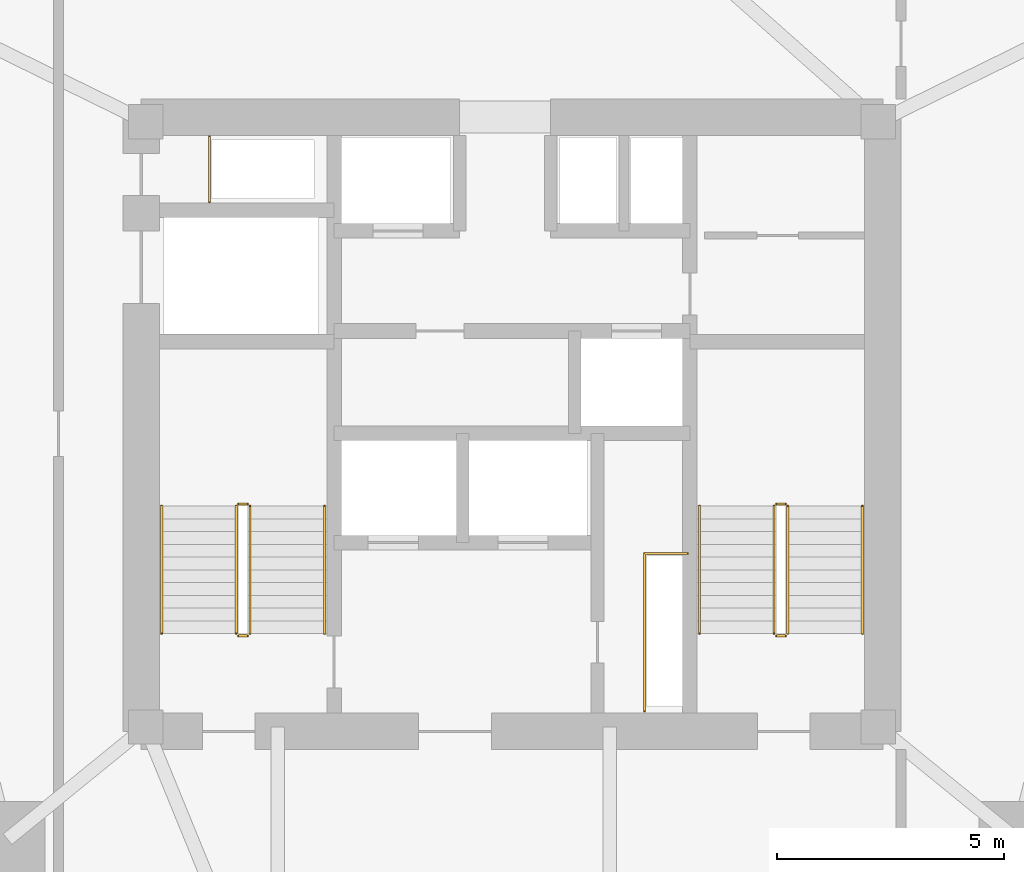
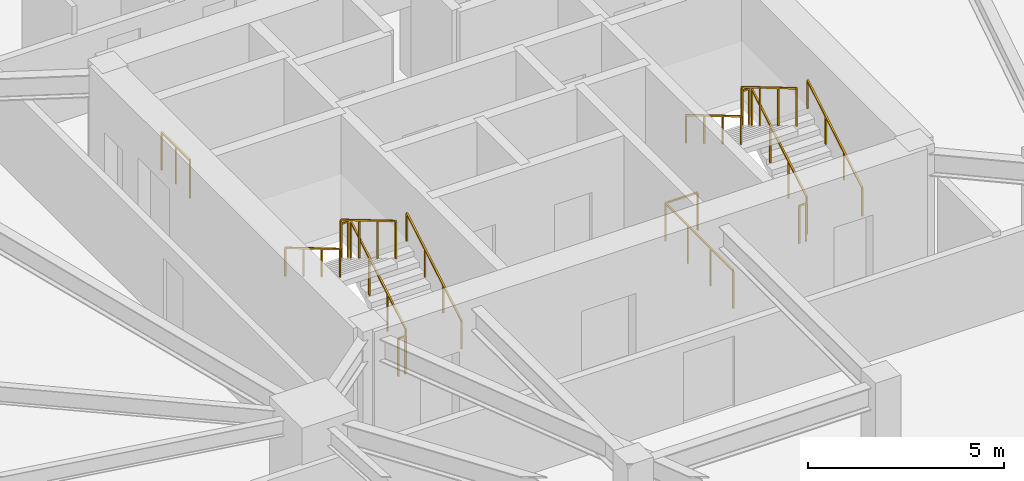
# One storey, part 19 of 19: 14 railings.
"""IFC4 building model written with IfcOpenShell, lengths in metres."""

from ifc_helpers import new_model, si_unit, direction, frame, origin, origin_2d, place, context, subcontext, project, spatial, rectangle, extrude, material, type_object, element, save


model = new_model("IFC4")

# Units and contexts
model_context = context("Model", 3, precision=1e-05, world=origin(), true_north=direction((0.0, 1.0)))
body_context = subcontext(model_context, "Body", "Model", "MODEL_VIEW")
ifc_project = project(units=[si_unit("LENGTHUNIT", "METRE"), si_unit("AREAUNIT", "SQUARE_METRE"), si_unit("VOLUMEUNIT", "CUBIC_METRE"), si_unit("PLANEANGLEUNIT", "RADIAN"), si_unit("MASSUNIT", "GRAM", prefix="KILO")], contexts=[model_context])

# Site, building, storey
site_placement = place(None, origin())
site = spatial("IfcSite", under=ifc_project, at=site_placement, CompositionType="ELEMENT")
building_placement = place(site_placement, origin())
building = spatial("IfcBuilding", under=site, at=building_placement, Name="Talyreon Biosciences Tower", CompositionType="ELEMENT")
storey_placement = place(building_placement, frame((0.0, 0.0, 82.300048828125)))
storey = spatial("IfcBuildingStorey", under=building, at=storey_placement, Name="L21", CompositionType="ELEMENT", Elevation=82.300048828125)

# Railings
ifc_material_1 = material(Name="Brushed stainless-steel tubular handrail", Category="steel")
railing_type_1 = type_object("IfcRailingType", Name="StairWallHandrail_900", PredefinedType="HANDRAIL", material=ifc_material_1)
railing_1_placement = place(storey_placement, frame((61.8798828125, 63.39990234375, 0.165771484375)))
element("IfcRailing", 1, at=railing_1_placement, inside=storey, type_object=railing_type_1, Name="L21 ST-1 stair handrail 1", PredefinedType="HANDRAIL", context=body_context, shape_type="SweptSolid", body=[
    extrude(rectangle(XDim=0.048095703125, YDim=0.048095703125, at=origin_2d()), frame((0.0, 0.0, 0.8759765625), z_axis=(0.0, 0.860306154799, 0.50977771628), x_axis=(-1.0, 0.0, 0.0)), (0.0, 0.0, 1.0), 3.254638671875),
    extrude(rectangle(XDim=0.0419921875, YDim=0.0419921875, at=origin_2d()), origin(), (0.0, 0.0, 1.0), 0.851806640625),
    extrude(rectangle(XDim=0.0419921875, YDim=0.0419921875, at=origin_2d()), frame((0.0, 0.933349609375, 0.552978515625)), (0.0, 0.0, 1.0), 0.851806640625),
    extrude(rectangle(XDim=0.0419921875, YDim=0.0419921875, at=origin_2d()), frame((0.0, 1.86669921875, 1.106201171875)), (0.0, 0.0, 1.0), 0.851806640625),
    extrude(rectangle(XDim=0.0419921875, YDim=0.0419921875, at=origin_2d()), frame((0.0, 2.800048828125, 1.6591796875)), (0.0, 0.0, 1.0), 0.851806640625),
])
railing_2_placement = place(storey_placement, frame((58.300048828125, 66.199951171875, 1.990966796875)))
element("IfcRailing", 2, at=railing_2_placement, inside=storey, type_object=railing_type_1, Name="L21 ST-1 stair handrail 2", PredefinedType="HANDRAIL", context=body_context, shape_type="SweptSolid", body=[
    extrude(rectangle(XDim=0.048095703125, YDim=0.048095703125, at=origin_2d()), frame((0.0, 0.0, 0.8759765625), z_axis=(0.0, -0.860339051648, 0.50972219513), x_axis=(1.0, 0.0, 0.0)), (0.0, 0.0, 1.0), 3.254638671875),
    extrude(rectangle(XDim=0.0419921875, YDim=0.0419921875, at=origin_2d()), origin(), (0.0, 0.0, 1.0), 0.851806640625),
    extrude(rectangle(XDim=0.0419921875, YDim=0.0419921875, at=origin_2d()), frame((0.0, -0.933349609375, 0.552978515625)), (0.0, 0.0, 1.0), 0.851806640625),
    extrude(rectangle(XDim=0.0419921875, YDim=0.0419921875, at=origin_2d()), frame((0.0, -1.86669921875, 1.10595703125)), (0.0, 0.0, 1.0), 0.851806640625),
    extrude(rectangle(XDim=0.0419921875, YDim=0.0419921875, at=origin_2d()), frame((0.0, -2.800048828125, 1.658935546875)), (0.0, 0.0, 1.0), 0.851806640625),
])
railing_3_placement = place(storey_placement, frame((73.699951171875, 63.39990234375, 0.165771484375)))
element("IfcRailing", 3, at=railing_3_placement, inside=storey, type_object=railing_type_1, Name="L21 ST-2 stair handrail 1", PredefinedType="HANDRAIL", context=body_context, shape_type="SweptSolid", body=[
    extrude(rectangle(XDim=0.048095703125, YDim=0.048095703125, at=origin_2d()), frame((0.0, 0.0, 0.8759765625), z_axis=(0.0, 0.860306154799, 0.50977771628), x_axis=(-1.0, 0.0, 0.0)), (0.0, 0.0, 1.0), 3.254638671875),
    extrude(rectangle(XDim=0.0419921875, YDim=0.0419921875, at=origin_2d()), origin(), (0.0, 0.0, 1.0), 0.851806640625),
    extrude(rectangle(XDim=0.0419921875, YDim=0.0419921875, at=origin_2d()), frame((0.0, 0.933349609375, 0.552978515625)), (0.0, 0.0, 1.0), 0.851806640625),
    extrude(rectangle(XDim=0.0419921875, YDim=0.0419921875, at=origin_2d()), frame((0.0, 1.86669921875, 1.106201171875)), (0.0, 0.0, 1.0), 0.851806640625),
    extrude(rectangle(XDim=0.0419921875, YDim=0.0419921875, at=origin_2d()), frame((0.0, 2.800048828125, 1.6591796875)), (0.0, 0.0, 1.0), 0.851806640625),
])
railing_4_placement = place(storey_placement, frame((70.1201171875, 66.199951171875, 1.990966796875)))
element("IfcRailing", 4, at=railing_4_placement, inside=storey, type_object=railing_type_1, Name="L21 ST-2 stair handrail 2", PredefinedType="HANDRAIL", context=body_context, shape_type="SweptSolid", body=[
    extrude(rectangle(XDim=0.048095703125, YDim=0.048095703125, at=origin_2d()), frame((0.0, 0.0, 0.8759765625), z_axis=(0.0, -0.860339051648, 0.50972219513), x_axis=(1.0, 0.0, 0.0)), (0.0, 0.0, 1.0), 3.254638671875),
    extrude(rectangle(XDim=0.0419921875, YDim=0.0419921875, at=origin_2d()), origin(), (0.0, 0.0, 1.0), 0.851806640625),
    extrude(rectangle(XDim=0.0419921875, YDim=0.0419921875, at=origin_2d()), frame((0.0, -0.933349609375, 0.552978515625)), (0.0, 0.0, 1.0), 0.851806640625),
    extrude(rectangle(XDim=0.0419921875, YDim=0.0419921875, at=origin_2d()), frame((0.0, -1.86669921875, 1.10595703125)), (0.0, 0.0, 1.0), 0.851806640625),
    extrude(rectangle(XDim=0.0419921875, YDim=0.0419921875, at=origin_2d()), frame((0.0, -2.800048828125, 1.658935546875)), (0.0, 0.0, 1.0), 0.851806640625),
])
ifc_material_2 = material(Name="Painted galvanised steel post-and-rail balustrade", Category="steel")
railing_type_2 = type_object("IfcRailingType", Name="TerraceStairGuard_1200", PredefinedType="GUARDRAIL", material=ifc_material_2)
railing_5_placement = place(storey_placement, frame((60.239990234375, 63.39990234375, 0.165771484375)))
element("IfcRailing", 5, at=railing_5_placement, inside=storey, type_object=railing_type_2, Name="L21 ST-1 stair guard 1", PredefinedType="GUARDRAIL", context=body_context, shape_type="SweptSolid", body=[
    extrude(rectangle(XDim=0.048095703125, YDim=0.048095703125, at=origin_2d()), frame((0.0, 0.0, 1.17578125), z_axis=(0.0, 0.860306154799, 0.50977771628), x_axis=(-1.0, 0.0, 0.0)), (0.0, 0.0, 1.0), 3.254638671875),
    extrude(rectangle(XDim=0.0419921875, YDim=0.0419921875, at=origin_2d()), origin(), (0.0, 0.0, 1.0), 1.15185546875),
    extrude(rectangle(XDim=0.0419921875, YDim=0.0419921875, at=origin_2d()), frame((0.0, 0.933349609375, 0.552978515625)), (0.0, 0.0, 1.0), 1.15185546875),
    extrude(rectangle(XDim=0.0419921875, YDim=0.0419921875, at=origin_2d()), frame((0.0, 1.86669921875, 1.106201171875)), (0.0, 0.0, 1.0), 1.15185546875),
    extrude(rectangle(XDim=0.0419921875, YDim=0.0419921875, at=origin_2d()), frame((0.0, 2.800048828125, 1.6591796875)), (0.0, 0.0, 1.0), 1.15185546875),
])
railing_6_placement = place(storey_placement, frame((60.18994140625, 66.25, 1.824951171875)))
element("IfcRailing", 6, at=railing_6_placement, inside=storey, type_object=railing_type_2, Name="L21 ST-1 stair guard 2", PredefinedType="GUARDRAIL", context=body_context, shape_type="SweptSolid", body=[
    extrude(rectangle(XDim=0.048095703125, YDim=0.048095703125, at=origin_2d()), frame((0.0, 0.0, 1.17578125), z_axis=(-1.0, 0.0, 0.0), x_axis=(0.0, -1.0, 0.0)), (0.0, 0.0, 1.0), 0.199951171875),
    extrude(rectangle(XDim=0.0419921875, YDim=0.0419921875, at=origin_2d()), origin(), (0.0, 0.0, 1.0), 1.15185546875),
    extrude(rectangle(XDim=0.0419921875, YDim=0.0419921875, at=origin_2d()), frame((-0.199951171875, 0.0, 0.0)), (0.0, 0.0, 1.0), 1.15185546875),
])
railing_7_placement = place(storey_placement, frame((59.93994140625, 66.199951171875, 1.990966796875)))
element("IfcRailing", 7, at=railing_7_placement, inside=storey, type_object=railing_type_2, Name="L21 ST-1 stair guard 3", PredefinedType="GUARDRAIL", context=body_context, shape_type="SweptSolid", body=[
    extrude(rectangle(XDim=0.048095703125, YDim=0.048095703125, at=origin_2d()), frame((0.0, 0.0, 1.17578125), z_axis=(0.0, -0.860339051648, 0.50972219513), x_axis=(1.0, 0.0, 0.0)), (0.0, 0.0, 1.0), 3.254638671875),
    extrude(rectangle(XDim=0.0419921875, YDim=0.0419921875, at=origin_2d()), origin(), (0.0, 0.0, 1.0), 1.15185546875),
    extrude(rectangle(XDim=0.0419921875, YDim=0.0419921875, at=origin_2d()), frame((0.0, -0.933349609375, 0.552978515625)), (0.0, 0.0, 1.0), 1.15185546875),
    extrude(rectangle(XDim=0.0419921875, YDim=0.0419921875, at=origin_2d()), frame((0.0, -1.86669921875, 1.10595703125)), (0.0, 0.0, 1.0), 1.15185546875),
    extrude(rectangle(XDim=0.0419921875, YDim=0.0419921875, at=origin_2d()), frame((0.0, -2.800048828125, 1.658935546875)), (0.0, 0.0, 1.0), 1.15185546875),
])
railing_8_placement = place(storey_placement, frame((60.18994140625, 63.35009765625, 0.0)))
element("IfcRailing", 8, at=railing_8_placement, inside=storey, type_object=railing_type_2, Name="L21 ST-1 stair guard 4", PredefinedType="GUARDRAIL", context=body_context, shape_type="SweptSolid", body=[
    extrude(rectangle(XDim=0.048095703125, YDim=0.048095703125, at=origin_2d()), frame((0.0, 0.0, 1.17578125), z_axis=(-1.0, 0.0, 0.0), x_axis=(0.0, -1.0, 0.0)), (0.0, 0.0, 1.0), 0.199951171875),
    extrude(rectangle(XDim=0.0419921875, YDim=0.0419921875, at=origin_2d()), origin(), (0.0, 0.0, 1.0), 1.15185546875),
    extrude(rectangle(XDim=0.0419921875, YDim=0.0419921875, at=origin_2d()), frame((-0.199951171875, 0.0, 0.0)), (0.0, 0.0, 1.0), 1.15185546875),
])
railing_9_placement = place(storey_placement, frame((72.06005859375, 63.39990234375, 0.165771484375)))
element("IfcRailing", 9, at=railing_9_placement, inside=storey, type_object=railing_type_2, Name="L21 ST-2 stair guard 1", PredefinedType="GUARDRAIL", context=body_context, shape_type="SweptSolid", body=[
    extrude(rectangle(XDim=0.048095703125, YDim=0.048095703125, at=origin_2d()), frame((0.0, 0.0, 1.17578125), z_axis=(0.0, 0.860306154799, 0.50977771628), x_axis=(-1.0, 0.0, 0.0)), (0.0, 0.0, 1.0), 3.254638671875),
    extrude(rectangle(XDim=0.0419921875, YDim=0.0419921875, at=origin_2d()), origin(), (0.0, 0.0, 1.0), 1.15185546875),
    extrude(rectangle(XDim=0.0419921875, YDim=0.0419921875, at=origin_2d()), frame((0.0, 0.933349609375, 0.552978515625)), (0.0, 0.0, 1.0), 1.15185546875),
    extrude(rectangle(XDim=0.0419921875, YDim=0.0419921875, at=origin_2d()), frame((0.0, 1.86669921875, 1.106201171875)), (0.0, 0.0, 1.0), 1.15185546875),
    extrude(rectangle(XDim=0.0419921875, YDim=0.0419921875, at=origin_2d()), frame((0.0, 2.800048828125, 1.6591796875)), (0.0, 0.0, 1.0), 1.15185546875),
])
railing_10_placement = place(storey_placement, frame((72.010009765625, 66.25, 1.824951171875)))
element("IfcRailing", 10, at=railing_10_placement, inside=storey, type_object=railing_type_2, Name="L21 ST-2 stair guard 2", PredefinedType="GUARDRAIL", context=body_context, shape_type="SweptSolid", body=[
    extrude(rectangle(XDim=0.048095703125, YDim=0.048095703125, at=origin_2d()), frame((0.0, 0.0, 1.17578125), z_axis=(-1.0, 0.0, 0.0), x_axis=(0.0, -1.0, 0.0)), (0.0, 0.0, 1.0), 0.199951171875),
    extrude(rectangle(XDim=0.0419921875, YDim=0.0419921875, at=origin_2d()), origin(), (0.0, 0.0, 1.0), 1.15185546875),
    extrude(rectangle(XDim=0.0419921875, YDim=0.0419921875, at=origin_2d()), frame((-0.199951171875, 0.0, 0.0)), (0.0, 0.0, 1.0), 1.15185546875),
])
railing_11_placement = place(storey_placement, frame((71.760009765625, 66.199951171875, 1.990966796875)))
element("IfcRailing", 11, at=railing_11_placement, inside=storey, type_object=railing_type_2, Name="L21 ST-2 stair guard 3", PredefinedType="GUARDRAIL", context=body_context, shape_type="SweptSolid", body=[
    extrude(rectangle(XDim=0.048095703125, YDim=0.048095703125, at=origin_2d()), frame((0.0, 0.0, 1.17578125), z_axis=(0.0, -0.860339051648, 0.50972219513), x_axis=(1.0, 0.0, 0.0)), (0.0, 0.0, 1.0), 3.254638671875),
    extrude(rectangle(XDim=0.0419921875, YDim=0.0419921875, at=origin_2d()), origin(), (0.0, 0.0, 1.0), 1.15185546875),
    extrude(rectangle(XDim=0.0419921875, YDim=0.0419921875, at=origin_2d()), frame((0.0, -0.933349609375, 0.552978515625)), (0.0, 0.0, 1.0), 1.15185546875),
    extrude(rectangle(XDim=0.0419921875, YDim=0.0419921875, at=origin_2d()), frame((0.0, -1.86669921875, 1.10595703125)), (0.0, 0.0, 1.0), 1.15185546875),
    extrude(rectangle(XDim=0.0419921875, YDim=0.0419921875, at=origin_2d()), frame((0.0, -2.800048828125, 1.658935546875)), (0.0, 0.0, 1.0), 1.15185546875),
])
railing_12_placement = place(storey_placement, frame((72.010009765625, 63.35009765625, 0.0)))
element("IfcRailing", 12, at=railing_12_placement, inside=storey, type_object=railing_type_2, Name="L21 ST-2 stair guard 4", PredefinedType="GUARDRAIL", context=body_context, shape_type="SweptSolid", body=[
    extrude(rectangle(XDim=0.048095703125, YDim=0.048095703125, at=origin_2d()), frame((0.0, 0.0, 1.17578125), z_axis=(-1.0, 0.0, 0.0), x_axis=(0.0, -1.0, 0.0)), (0.0, 0.0, 1.0), 0.199951171875),
    extrude(rectangle(XDim=0.0419921875, YDim=0.0419921875, at=origin_2d()), origin(), (0.0, 0.0, 1.0), 1.15185546875),
    extrude(rectangle(XDim=0.0419921875, YDim=0.0419921875, at=origin_2d()), frame((-0.199951171875, 0.0, 0.0)), (0.0, 0.0, 1.0), 1.15185546875),
])
railing_13_placement = place(storey_placement, frame((59.35009765625, 72.8798828125, 0.0)))
element("IfcRailing", 13, at=railing_13_placement, inside=storey, type_object=railing_type_2, Name="L21 Exhaust Riser Maintenance Guardrail", PredefinedType="GUARDRAIL", context=body_context, shape_type="SweptSolid", body=[
    extrude(rectangle(XDim=0.048095703125, YDim=0.048095703125, at=origin_2d()), frame((0.0, 0.0, 1.17578125), z_axis=(0.0, 1.0, 0.0), x_axis=(-1.0, 0.0, 0.0)), (0.0, 0.0, 1.0), 1.4501953125),
    extrude(rectangle(XDim=0.0419921875, YDim=0.0419921875, at=origin_2d()), origin(), (0.0, 0.0, 1.0), 1.15185546875),
    extrude(rectangle(XDim=0.0419921875, YDim=0.0419921875, at=origin_2d()), frame((0.0, 0.72509765625, 0.0)), (0.0, 0.0, 1.0), 1.15185546875),
    extrude(rectangle(XDim=0.0419921875, YDim=0.0419921875, at=origin_2d()), frame((0.0, 1.4501953125, 0.0)), (0.0, 0.0, 1.0), 1.15185546875),
])
railing_14_placement = place(storey_placement, frame((68.909912109375, 61.699951171875, 0.0)))
element("IfcRailing", 14, at=railing_14_placement, inside=storey, type_object=railing_type_2, Name="L21 Electrical Riser Maintenance Guardrail", PredefinedType="GUARDRAIL", context=body_context, shape_type="SweptSolid", body=[
    extrude(rectangle(XDim=0.048095703125, YDim=0.048095703125, at=origin_2d()), frame((0.0, 0.0, 1.17578125), z_axis=(0.0, 1.0, 0.0), x_axis=(-1.0, 0.0, 0.0)), (0.0, 0.0, 1.0), 3.4599609375),
    extrude(rectangle(XDim=0.048095703125, YDim=0.048095703125, at=origin_2d()), frame((0.0, 3.4599609375, 1.17578125), z_axis=(1.0, 0.0, 0.0), x_axis=(0.0, 1.0, 0.0)), (0.0, 0.0, 1.0), 0.9501953125),
    extrude(rectangle(XDim=0.0419921875, YDim=0.0419921875, at=origin_2d()), origin(), (0.0, 0.0, 1.0), 1.15185546875),
    extrude(rectangle(XDim=0.0419921875, YDim=0.0419921875, at=origin_2d()), frame((0.0, 1.1533203125, 0.0)), (0.0, 0.0, 1.0), 1.15185546875),
    extrude(rectangle(XDim=0.0419921875, YDim=0.0419921875, at=origin_2d()), frame((0.0, 2.306640625, 0.0)), (0.0, 0.0, 1.0), 1.15185546875),
    extrude(rectangle(XDim=0.0419921875, YDim=0.0419921875, at=origin_2d()), frame((0.0, 3.4599609375, 0.0)), (0.0, 0.0, 1.0), 1.15185546875),
    extrude(rectangle(XDim=0.0419921875, YDim=0.0419921875, at=origin_2d()), frame((0.9501953125, 3.4599609375, 0.0)), (0.0, 0.0, 1.0), 1.15185546875),
])

save(model, "model.ifc")
